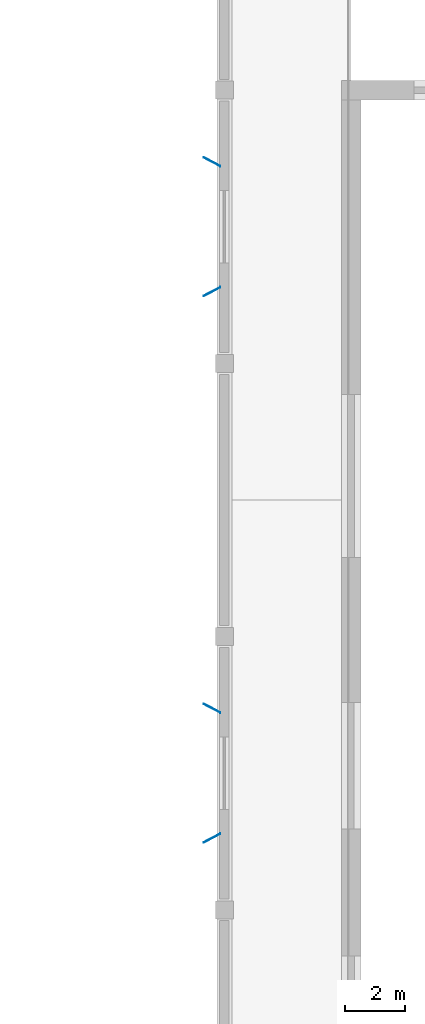
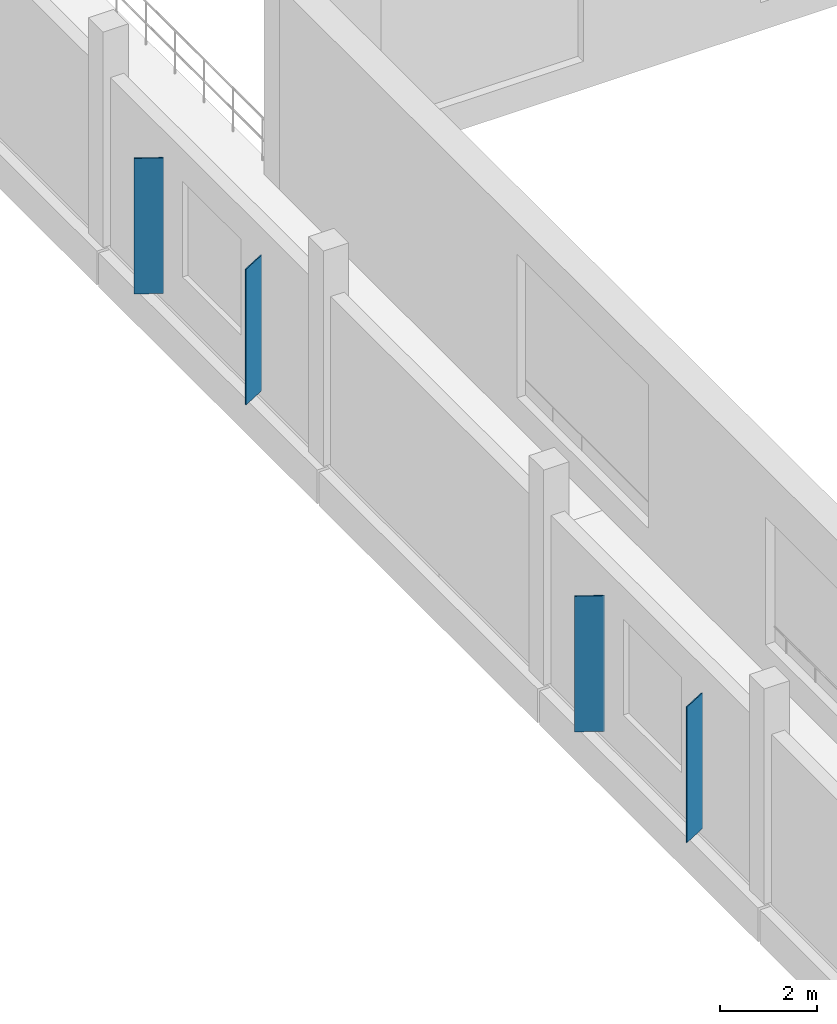
# One storey, part 101 of 132: 4 plates.
"""IFC4 building model written with IfcOpenShell, lengths in metres."""

import ifcopenshell
import ifcopenshell.guid

model = None  # the IFC model being written
_history = None  # IfcOwnerHistory: only IFC2X3 demands one
_inside = {}  # id of a spatial element -> (the spatial element, [elements in it])
_under = {}  # id of a project, library or spatial element -> (it, [spatial elements below it])
_declared = {}  # id of a project -> (the project, [libraries it declares])
_typed = {}  # id of a type object -> (the type object, [elements of that type])
_made_of = {}  # id of a material, layer set ... -> (it, [elements and type objects made of it])


def new_model(schema):
    """Start an empty IFC model of exactly this schema.

    Asked for "IFC4X3", IfcOpenShell would pick the latest addendum, in which some entities
    have other attributes; the version numbers below select the first issue.
    IFC2X3 requires an IfcOwnerHistory on every rooted entity: one is made here for all.
    """
    global model, _history
    if schema == "IFC4X3":
        model = ifcopenshell.file(schema_version=(4, 3, 0, 0))
    else:
        model = ifcopenshell.file(schema=schema)
    _inside.clear()
    _under.clear()
    _declared.clear()
    _typed.clear()
    _made_of.clear()
    _history = None
    if model.schema == "IFC2X3":
        org = make("IfcOrganization", Name="unknown")
        user = make(
            "IfcPersonAndOrganization",
            ThePerson=make("IfcPerson", FamilyName="unknown"),
            TheOrganization=org,
        )
        app = make(
            "IfcApplication",
            ApplicationDeveloper=org,
            Version="unknown",
            ApplicationFullName="unknown",
            ApplicationIdentifier="unknown",
        )
        _history = make(
            "IfcOwnerHistory",
            OwningUser=user,
            OwningApplication=app,
            ChangeAction="ADDED",
            CreationDate=0,
        )
    return model


def make(cls, **values):
    """One entity of the class cls with the attributes given. An attribute that is None is left unset."""
    return model.create_entity(
        cls, **{name: value for name, value in values.items() if value is not None}
    )


def rooted(cls, **values):
    """An entity with a GlobalId (a new one), such as an element, a storey or a relation."""
    return make(cls, GlobalId=ifcopenshell.guid.new(), OwnerHistory=_history, **values)


def si_unit(unit_type, name, prefix=None):
    """IfcSIUnit, for example si_unit("LENGTHUNIT", "METRE", prefix="MILLI")."""
    return make("IfcSIUnit", UnitType=unit_type, Prefix=prefix, Name=name)


def assignment(units):
    """IfcUnitAssignment: the units of a project."""
    return None if units is None else make("IfcUnitAssignment", Units=units)


def point(xyz):
    """IfcCartesianPoint."""
    return None if xyz is None else make("IfcCartesianPoint", Coordinates=xyz)


def direction(xyz):
    """IfcDirection."""
    return None if xyz is None else make("IfcDirection", DirectionRatios=xyz)


def frame(location, z_axis=None, x_axis=None):
    """IfcAxis2Placement3D, a coordinate frame: its origin and axes. An axis left out is left unset."""
    return make(
        "IfcAxis2Placement3D",
        Location=point(location),
        Axis=direction(z_axis),
        RefDirection=direction(x_axis),
    )


def frame_2d(location, x_axis=None):
    """IfcAxis2Placement2D, a coordinate frame in the plane: its origin and x axis."""
    return make(
        "IfcAxis2Placement2D", Location=point(location), RefDirection=direction(x_axis)
    )


def origin():
    """The frame at (0, 0, 0) with its axes left unset."""
    return frame((0.0, 0.0, 0.0))


def origin_2d():
    """The frame at (0, 0) in the plane with its x axis left unset."""
    return frame_2d((0.0, 0.0))


def place(relative_to, where):
    """IfcLocalPlacement: puts the frame where relative to a parent placement (None: the world)."""
    return make(
        "IfcLocalPlacement", PlacementRelTo=relative_to, RelativePlacement=where
    )


def context(
    kind, dimensions, precision=None, world=None, true_north=None, identifier=None
):
    """IfcGeometricRepresentationContext, for example the 3D "Model" context."""
    return make(
        "IfcGeometricRepresentationContext",
        ContextIdentifier=identifier,
        ContextType=kind,
        CoordinateSpaceDimension=dimensions,
        Precision=precision,
        WorldCoordinateSystem=world,
        TrueNorth=true_north,
    )


def subcontext(parent, identifier, kind, view, scale=None):
    """IfcGeometricRepresentationSubContext, for example "Body" below "Model"."""
    return make(
        "IfcGeometricRepresentationSubContext",
        ContextIdentifier=identifier,
        ContextType=kind,
        ParentContext=parent,
        TargetScale=scale,
        TargetView=view,
    )


def project(units=None, contexts=None):
    """IfcProject with its units and contexts."""
    return rooted(
        "IfcProject",
        Name="project",
        RepresentationContexts=contexts,
        UnitsInContext=assignment(units),
    )


def spatial(cls, under=None, at=None, **own):
    """A site, building, storey or space (cls), placed at a placement, below another one or the project."""
    s = rooted(cls, ObjectPlacement=at, **own)
    if under is not None:
        _under.setdefault(under.id(), (under, []))[1].append(s)
    return s


def profile(cls, at=None, kind="AREA", **sizes):
    """A parametric profile (cls). Its sizes go by their IFC names, for example OverallWidth=200.0."""
    return make(cls, ProfileType=kind, Position=at, **sizes)


def rectangle(**sizes):
    """IfcRectangleProfileDef."""
    return profile("IfcRectangleProfileDef", **sizes)


def extrude(swept, where, along, depth):
    """IfcExtrudedAreaSolid: the profile swept, set in the frame where, extruded along a direction by depth."""
    return make(
        "IfcExtrudedAreaSolid",
        SweptArea=swept,
        Position=where,
        ExtrudedDirection=direction(along),
        Depth=depth,
    )


def shape(context_of_items, identifier, shape_type, items):
    """IfcShapeRepresentation: the items that make up one representation, for example the "Body"."""
    return make(
        "IfcShapeRepresentation",
        ContextOfItems=context_of_items,
        RepresentationIdentifier=identifier,
        RepresentationType=shape_type,
        Items=items,
    )


def material(Name=None, Category=None):
    """IfcMaterial."""
    return make("IfcMaterial", Name=Name, Category=Category)


def layer(
    of_material, thickness, ventilated=None, Name=None, Category=None, Priority=None
):
    """IfcMaterialLayer: one layer of a wall or slab, of a material (None: an air gap)."""
    return make(
        "IfcMaterialLayer",
        Material=of_material,
        LayerThickness=thickness,
        IsVentilated=ventilated,
        Name=Name,
        Category=Category,
        Priority=Priority,
    )


def layer_set(layers, Name=None):
    """IfcMaterialLayerSet."""
    return make("IfcMaterialLayerSet", MaterialLayers=layers, LayerSetName=Name)


def made_of(thing, what):
    """Note that an element or type object is made of a material, layer set ...; save() writes the relation."""
    if what is not None:
        _made_of.setdefault(what.id(), (what, []))[1].append(thing)
    return thing


def type_object(cls, material=None, **own):
    """A type object (cls), such as IfcWallType, which elements share."""
    return made_of(rooted(cls, **own), material)


def element(
    cls,
    number,
    at=None,
    inside=None,
    cuts=None,
    type_object=None,
    material=None,
    context=None,
    identifier="Body",
    shape_type=None,
    held_by="IfcProductDefinitionShape",
    body=None,
    shapes=None,
    **own,
):
    """One element of the class cls, such as IfcWall. Its Tag is "e" and its number.

    at: its placement. inside: the storey or other place that contains it. cuts: it is an
    opening in that element (IfcRelVoidsElement). A single representation is given by context,
    identifier, shape_type and body (its items); several are given by shapes. held_by: the class
    of the entity that holds the representations. save() writes the other relations.
    """
    e = rooted(cls, Tag="e%d" % number, ObjectPlacement=at, **own)
    if body is not None:
        shapes = [shape(context, identifier, shape_type, body)]
    if shapes is not None:
        e.Representation = make(held_by, Representations=shapes)
    if inside is not None:
        _inside.setdefault(inside.id(), (inside, []))[1].append(e)
    if cuts is not None:
        rooted(
            "IfcRelVoidsElement", RelatingBuildingElement=cuts, RelatedOpeningElement=e
        )
    if type_object is not None:
        _typed.setdefault(type_object.id(), (type_object, []))[1].append(e)
    return made_of(e, material)


def aggregate(whole, parts):
    """IfcRelAggregates: a whole, such as a stair, and the parts it consists of."""
    return rooted("IfcRelAggregates", RelatingObject=whole, RelatedObjects=parts)


def save(model, path):
    """Write the relations noted so far, then the file.

    IfcRelAggregates (storeys below a building ...), IfcRelContainedInSpatialStructure (elements
    in a storey), IfcRelDefinesByType, IfcRelAssociatesMaterial and IfcRelDeclares: one each for
    every whole, place, type object, material and project.
    """
    for whole, parts in _under.values():
        aggregate(whole, parts)
    for where, things in _inside.values():
        rooted(
            "IfcRelContainedInSpatialStructure",
            RelatedElements=things,
            RelatingStructure=where,
        )
    for kind, things in _typed.values():
        rooted("IfcRelDefinesByType", RelatedObjects=things, RelatingType=kind)
    for what, things in _made_of.values():
        rooted("IfcRelAssociatesMaterial", RelatedObjects=things, RelatingMaterial=what)
    for by, libraries in _declared.values():
        rooted("IfcRelDeclares", RelatingContext=by, RelatedDefinitions=libraries)
    model.write(path)


model = new_model("IFC4")

# Units and contexts
model_context = context("Model", 3, precision=1e-05, world=origin(), true_north=direction((0.0, 1.0)))
body_context = subcontext(model_context, "Body", "Model", "MODEL_VIEW")
ifc_project = project(units=[si_unit("LENGTHUNIT", "METRE"), si_unit("AREAUNIT", "SQUARE_METRE"), si_unit("VOLUMEUNIT", "CUBIC_METRE"), si_unit("PLANEANGLEUNIT", "RADIAN"), si_unit("MASSUNIT", "GRAM", prefix="KILO")], contexts=[model_context])

# Site, building, storey
site_placement = place(None, origin())
site = spatial("IfcSite", under=ifc_project, at=site_placement, CompositionType="ELEMENT")
building_placement = place(site_placement, origin())
building = spatial("IfcBuilding", under=site, at=building_placement, Name="Khurvash Pelagic Aquarium", CompositionType="ELEMENT")
storey_placement = place(building_placement, frame((0.0, 0.0, 5.39990234375)))
storey = spatial("IfcBuildingStorey", under=building, at=storey_placement, Name="L01", CompositionType="ELEMENT", Elevation=5.39990234375)

# Plates
ifc_material = material(Name="Anodised aluminium AW-5005", Category="aluminium")
ifc_layer = layer(ifc_material, 0.02392578125)
ifc_layer_set = layer_set([ifc_layer], Name="Anodised aluminium AW-5005")
plate_type = type_object("IfcPlateType", Name="SP-01", PredefinedType="SHEET", material=ifc_layer_set)
for number, where, z_axis, x_axis, name in (
    (1, (125.592041015625, 45.47509765625, 0.150146484375), (0.0, 0.0, 1.0), (-0.882947592859, 0.469471562786, 0.0), "L01 Parametric Folded Aluminium Solar Screen Fin SP-01 0135"),
    (2, (125.592041015625, 41.175048828125, 0.150146484375), (0.0, 0.0, 1.0), (-0.882947592859, -0.469471562786, 0.0), "L01 Parametric Folded Aluminium Solar Screen Fin SP-01 0136"),
    (3, (125.592041015625, 63.574951171875, 0.150146484375), (0.0, 0.0, 1.0), (-0.882947592859, 0.469471562786, 0.0), "L01 Parametric Folded Aluminium Solar Screen Fin SP-01 0137"),
    (4, (125.592041015625, 59.27490234375, 0.150146484375), (0.0, 0.0, 1.0), (-0.882947592859, -0.469471562786, 0.0), "L01 Parametric Folded Aluminium Solar Screen Fin SP-01 0138"),
):
    element("IfcPlate", number, at=place(storey_placement, frame(where, z_axis=z_axis, x_axis=x_axis)), inside=storey, type_object=plate_type, Name=name, PredefinedType="SHEET", context=body_context, shape_type="SweptSolid", body=[
        extrude(rectangle(XDim=0.6201171875, YDim=0.02392578125, at=origin_2d()), origin(), (0.0, 0.0, 1.0), 3.39990234375),
    ])

save(model, "model.ifc")
